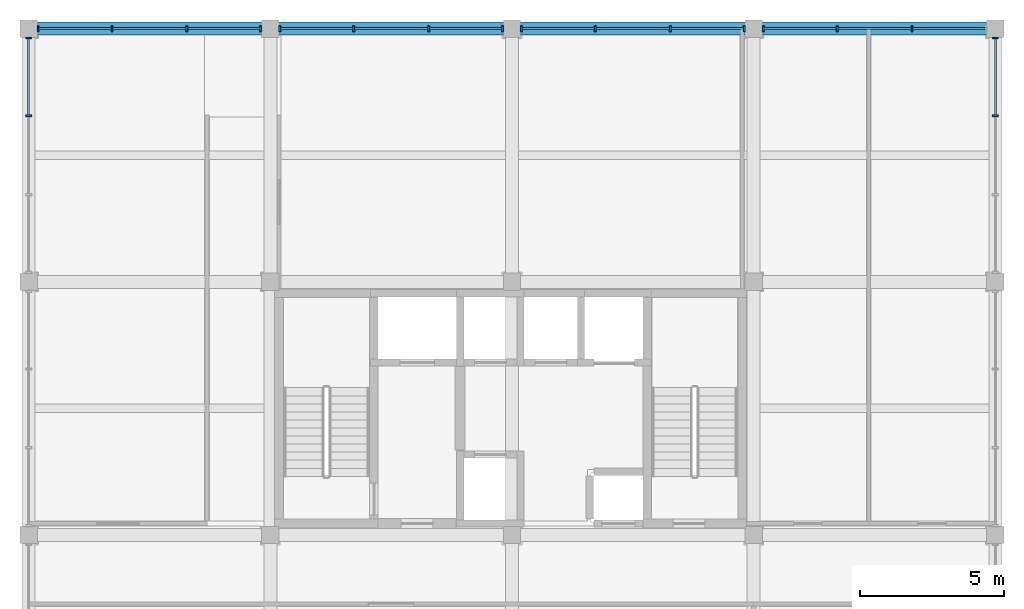
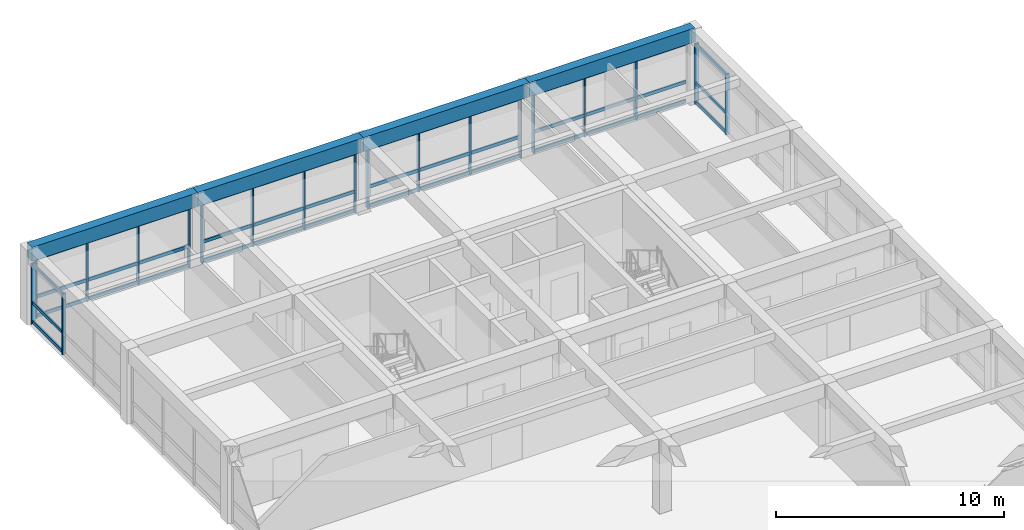
# One storey, part 6 of 14: 61 members, 4 beams, 6 elements without a shape of their own.
"""IFC4 building model written with IfcOpenShell, lengths in metres."""

from ifc_helpers import new_model, si_unit, direction, frame, origin, origin_2d, place, context, subcontext, project, spatial, rectangle, extrude, material, material_profile, profile_set, type_object, element, aggregate, save


model = new_model("IFC4")

# Units and contexts
model_context = context("Model", 3, precision=1e-05, world=origin(), true_north=direction((0.0, 1.0)))
body_context = subcontext(model_context, "Body", "Model", "MODEL_VIEW")
ifc_project = project(units=[si_unit("LENGTHUNIT", "METRE"), si_unit("AREAUNIT", "SQUARE_METRE"), si_unit("VOLUMEUNIT", "CUBIC_METRE"), si_unit("PLANEANGLEUNIT", "RADIAN"), si_unit("MASSUNIT", "GRAM", prefix="KILO")], contexts=[model_context])

# Site, building, storey
site_placement = place(None, origin())
site = spatial("IfcSite", under=ifc_project, at=site_placement, CompositionType="ELEMENT")
building_placement = place(site_placement, origin())
building = spatial("IfcBuilding", under=site, at=building_placement, Name="Kemercrest Conservatory and Botanical Centre", CompositionType="ELEMENT")
storey_placement = place(building_placement, frame((0.0, 0.0, 59.800048828125)))
storey = spatial("IfcBuildingStorey", under=building, at=storey_placement, Name="L15", CompositionType="ELEMENT", Elevation=59.800048828125)

# Curtain wall, members
ifc_material_1 = material(Name="Thermally broken aluminium and triple low-e glazing", Category="aluminium")
curtain_wall_type_1 = type_object("IfcCurtainWallType", Name="CW-03", PredefinedType="USERDEFINED", material=ifc_material_1)
curtain_wall_1_placement = place(storey_placement, origin())
curtain_wall_1 = element("IfcCurtainWall", 1, at=curtain_wall_1_placement, inside=storey, type_object=curtain_wall_type_1, Name="Unitised curtain wall CW-03 (CW:L15:V4-152)", ObjectType="UNITISED CURTAIN WALL", PredefinedType="USERDEFINED")
ifc_material_2 = material(Name="Thermally broken anodized aluminium 6063-T6", Category="aluminium")
ifc_material_profile_1 = material_profile(ifc_material_2, rectangle(XDim=0.199951171875, YDim=0.06494140625, at=origin_2d()), Name="AL MULLION 65x200")
ifc_profile_set_1 = profile_set([ifc_material_profile_1], Name="Thermally broken anodized aluminium 6063-T6")
member_type_1 = type_object("IfcMemberType", Name="CW-M200", PredefinedType="MULLION", material=ifc_profile_set_1)
member_1_placement = place(storey_placement, frame((176.0, 119.368408203125, 0.0), z_axis=(0.0, 0.0, 1.0), x_axis=(-1.0, 0.0, 0.0)))
member_1 = element("IfcMember", 2, at=member_1_placement, type_object=member_type_1, Name="CW-03 mullion 3", PredefinedType="MULLION", context=body_context, shape_type="SweptSolid", body=[
    extrude(rectangle(XDim=0.199951171875, YDim=0.06494140625, at=origin_2d()), origin(), (0.0, 0.0, 1.0), 3.2548828125),
])
member_2_placement = place(storey_placement, frame((176.0, 122.072509765625, 0.0), z_axis=(0.0, 0.0, 1.0), x_axis=(-1.0, 0.0, 0.0)))
member_2 = element("IfcMember", 3, at=member_2_placement, type_object=member_type_1, Name="CW-03 mullion 4", PredefinedType="MULLION", context=body_context, shape_type="SweptSolid", body=[
    extrude(rectangle(XDim=0.199951171875, YDim=0.06494140625, at=origin_2d()), origin(), (0.0, 0.0, 1.0), 3.2548828125),
])

curtain_wall_type_2 = type_object("IfcCurtainWallType", Name="CW-04", PredefinedType="USERDEFINED", material=ifc_material_1)
curtain_wall_2_placement = place(storey_placement, origin())
curtain_wall_2 = element("IfcCurtainWall", 4, at=curtain_wall_2_placement, inside=storey, type_object=curtain_wall_type_2, Name="Unitised curtain wall CW-04 (CW:L15:V4-153)", ObjectType="UNITISED CURTAIN WALL", PredefinedType="USERDEFINED")
member_3_placement = place(storey_placement, frame((173.1015625, 122.39990234375, 0.0), z_axis=(0.0, 0.0, 1.0), x_axis=(0.0, -1.0, 0.0)))
member_3 = element("IfcMember", 5, at=member_3_placement, type_object=member_type_1, Name="CW-04 mullion 2", PredefinedType="MULLION", context=body_context, shape_type="SweptSolid", body=[
    extrude(rectangle(XDim=0.199951171875, YDim=0.06494140625, at=origin_2d()), origin(), (0.0, 0.0, 1.0), 3.2548828125),
])
member_4_placement = place(storey_placement, frame((170.498291015625, 122.39990234375, 0.0), z_axis=(0.0, 0.0, 1.0), x_axis=(0.0, -1.0, 0.0)))
member_4 = element("IfcMember", 6, at=member_4_placement, type_object=member_type_1, Name="CW-04 mullion 3", PredefinedType="MULLION", context=body_context, shape_type="SweptSolid", body=[
    extrude(rectangle(XDim=0.199951171875, YDim=0.06494140625, at=origin_2d()), origin(), (0.0, 0.0, 1.0), 3.2548828125),
])
member_5_placement = place(storey_placement, frame((167.927490234375, 122.39990234375, 0.0), z_axis=(0.0, 0.0, 1.0), x_axis=(0.0, -1.0, 0.0)))
member_5 = element("IfcMember", 7, at=member_5_placement, type_object=member_type_1, Name="CW-04 mullion 4", PredefinedType="MULLION", context=body_context, shape_type="SweptSolid", body=[
    extrude(rectangle(XDim=0.199951171875, YDim=0.06494140625, at=origin_2d()), origin(), (0.0, 0.0, 1.0), 3.2548828125),
])

curtain_wall_type_3 = type_object("IfcCurtainWallType", Name="CW-05", PredefinedType="USERDEFINED", material=ifc_material_1)
curtain_wall_3_placement = place(storey_placement, origin())
curtain_wall_3 = element("IfcCurtainWall", 8, at=curtain_wall_3_placement, inside=storey, type_object=curtain_wall_type_3, Name="Unitised curtain wall CW-05 (CW:L15:V4-154)", ObjectType="UNITISED CURTAIN WALL", PredefinedType="USERDEFINED")
member_6_placement = place(storey_placement, frame((167.2724609375, 122.39990234375, 0.0), z_axis=(0.0, 0.0, 1.0), x_axis=(0.0, -1.0, 0.0)))
member_6 = element("IfcMember", 9, at=member_6_placement, type_object=member_type_1, Name="CW-05 mullion 1", PredefinedType="MULLION", context=body_context, shape_type="SweptSolid", body=[
    extrude(rectangle(XDim=0.199951171875, YDim=0.06494140625, at=origin_2d()), origin(), (0.0, 0.0, 1.0), 3.2548828125),
])
member_7_placement = place(storey_placement, frame((164.70166015625, 122.39990234375, 0.0), z_axis=(0.0, 0.0, 1.0), x_axis=(0.0, -1.0, 0.0)))
member_7 = element("IfcMember", 10, at=member_7_placement, type_object=member_type_1, Name="CW-05 mullion 2", PredefinedType="MULLION", context=body_context, shape_type="SweptSolid", body=[
    extrude(rectangle(XDim=0.199951171875, YDim=0.06494140625, at=origin_2d()), origin(), (0.0, 0.0, 1.0), 3.2548828125),
])
member_8_placement = place(storey_placement, frame((162.098388671875, 122.39990234375, 0.0), z_axis=(0.0, 0.0, 1.0), x_axis=(0.0, -1.0, 0.0)))
member_8 = element("IfcMember", 11, at=member_8_placement, type_object=member_type_1, Name="CW-05 mullion 3", PredefinedType="MULLION", context=body_context, shape_type="SweptSolid", body=[
    extrude(rectangle(XDim=0.199951171875, YDim=0.06494140625, at=origin_2d()), origin(), (0.0, 0.0, 1.0), 3.2548828125),
])
member_9_placement = place(storey_placement, frame((159.527587890625, 122.39990234375, 0.0), z_axis=(0.0, 0.0, 1.0), x_axis=(0.0, -1.0, 0.0)))
member_9 = element("IfcMember", 12, at=member_9_placement, type_object=member_type_1, Name="CW-05 mullion 4", PredefinedType="MULLION", context=body_context, shape_type="SweptSolid", body=[
    extrude(rectangle(XDim=0.199951171875, YDim=0.06494140625, at=origin_2d()), origin(), (0.0, 0.0, 1.0), 3.2548828125),
])

curtain_wall_type_4 = type_object("IfcCurtainWallType", Name="CW-06", PredefinedType="USERDEFINED", material=ifc_material_1)
curtain_wall_4_placement = place(storey_placement, origin())
curtain_wall_4 = element("IfcCurtainWall", 13, at=curtain_wall_4_placement, inside=storey, type_object=curtain_wall_type_4, Name="Unitised curtain wall CW-06 (CW:L15:V4-155)", ObjectType="UNITISED CURTAIN WALL", PredefinedType="USERDEFINED")
member_10_placement = place(storey_placement, frame((158.87255859375, 122.39990234375, 0.0), z_axis=(0.0, 0.0, 1.0), x_axis=(0.0, -1.0, 0.0)))
member_10 = element("IfcMember", 14, at=member_10_placement, type_object=member_type_1, Name="CW-06 mullion 1", PredefinedType="MULLION", context=body_context, shape_type="SweptSolid", body=[
    extrude(rectangle(XDim=0.199951171875, YDim=0.06494140625, at=origin_2d()), origin(), (0.0, 0.0, 1.0), 3.2548828125),
])
member_11_placement = place(storey_placement, frame((156.3017578125, 122.39990234375, 0.0), z_axis=(0.0, 0.0, 1.0), x_axis=(0.0, -1.0, 0.0)))
member_11 = element("IfcMember", 15, at=member_11_placement, type_object=member_type_1, Name="CW-06 mullion 2", PredefinedType="MULLION", context=body_context, shape_type="SweptSolid", body=[
    extrude(rectangle(XDim=0.199951171875, YDim=0.06494140625, at=origin_2d()), origin(), (0.0, 0.0, 1.0), 3.2548828125),
])
member_12_placement = place(storey_placement, frame((153.6982421875, 122.39990234375, 0.0), z_axis=(0.0, 0.0, 1.0), x_axis=(0.0, -1.0, 0.0)))
member_12 = element("IfcMember", 16, at=member_12_placement, type_object=member_type_1, Name="CW-06 mullion 3", PredefinedType="MULLION", context=body_context, shape_type="SweptSolid", body=[
    extrude(rectangle(XDim=0.199951171875, YDim=0.06494140625, at=origin_2d()), origin(), (0.0, 0.0, 1.0), 3.2548828125),
])
member_13_placement = place(storey_placement, frame((151.12744140625, 122.39990234375, 0.0), z_axis=(0.0, 0.0, 1.0), x_axis=(0.0, -1.0, 0.0)))
member_13 = element("IfcMember", 17, at=member_13_placement, type_object=member_type_1, Name="CW-06 mullion 4", PredefinedType="MULLION", context=body_context, shape_type="SweptSolid", body=[
    extrude(rectangle(XDim=0.199951171875, YDim=0.06494140625, at=origin_2d()), origin(), (0.0, 0.0, 1.0), 3.2548828125),
])

curtain_wall_type_5 = type_object("IfcCurtainWallType", Name="CW-07", PredefinedType="USERDEFINED", material=ifc_material_1)
curtain_wall_5_placement = place(storey_placement, origin())
curtain_wall_5 = element("IfcCurtainWall", 18, at=curtain_wall_5_placement, inside=storey, type_object=curtain_wall_type_5, Name="Unitised curtain wall CW-07 (CW:L15:V4-156)", ObjectType="UNITISED CURTAIN WALL", PredefinedType="USERDEFINED")
member_14_placement = place(storey_placement, frame((150.472412109375, 122.39990234375, 0.0), z_axis=(0.0, 0.0, 1.0), x_axis=(0.0, -1.0, 0.0)))
member_14 = element("IfcMember", 19, at=member_14_placement, type_object=member_type_1, Name="CW-07 mullion 1", PredefinedType="MULLION", context=body_context, shape_type="SweptSolid", body=[
    extrude(rectangle(XDim=0.199951171875, YDim=0.06494140625, at=origin_2d()), origin(), (0.0, 0.0, 1.0), 3.2548828125),
])
member_15_placement = place(storey_placement, frame((147.901611328125, 122.39990234375, 0.0), z_axis=(0.0, 0.0, 1.0), x_axis=(0.0, -1.0, 0.0)))
member_15 = element("IfcMember", 20, at=member_15_placement, type_object=member_type_1, Name="CW-07 mullion 2", PredefinedType="MULLION", context=body_context, shape_type="SweptSolid", body=[
    extrude(rectangle(XDim=0.199951171875, YDim=0.06494140625, at=origin_2d()), origin(), (0.0, 0.0, 1.0), 3.2548828125),
])
member_16_placement = place(storey_placement, frame((145.29833984375, 122.39990234375, 0.0), z_axis=(0.0, 0.0, 1.0), x_axis=(0.0, -1.0, 0.0)))
member_16 = element("IfcMember", 21, at=member_16_placement, type_object=member_type_1, Name="CW-07 mullion 3", PredefinedType="MULLION", context=body_context, shape_type="SweptSolid", body=[
    extrude(rectangle(XDim=0.199951171875, YDim=0.06494140625, at=origin_2d()), origin(), (0.0, 0.0, 1.0), 3.2548828125),
])
member_17_placement = place(storey_placement, frame((142.7275390625, 122.39990234375, 0.0), z_axis=(0.0, 0.0, 1.0), x_axis=(0.0, -1.0, 0.0)))
member_17 = element("IfcMember", 22, at=member_17_placement, type_object=member_type_1, Name="CW-07 mullion 4", PredefinedType="MULLION", context=body_context, shape_type="SweptSolid", body=[
    extrude(rectangle(XDim=0.199951171875, YDim=0.06494140625, at=origin_2d()), origin(), (0.0, 0.0, 1.0), 3.2548828125),
])

curtain_wall_type_6 = type_object("IfcCurtainWallType", Name="CW-08", PredefinedType="USERDEFINED", material=ifc_material_1)
curtain_wall_6_placement = place(storey_placement, origin())
curtain_wall_6 = element("IfcCurtainWall", 23, at=curtain_wall_6_placement, inside=storey, type_object=curtain_wall_type_6, Name="Unitised curtain wall CW-08 (CW:L15:V4-157)", ObjectType="UNITISED CURTAIN WALL", PredefinedType="USERDEFINED")
member_18_placement = place(storey_placement, frame((142.39990234375, 122.072509765625, 0.0), z_axis=(0.0, 0.0, 1.0), x_axis=(1.0, 0.0, 0.0)))
member_18 = element("IfcMember", 24, at=member_18_placement, type_object=member_type_1, Name="CW-08 mullion 1", PredefinedType="MULLION", context=body_context, shape_type="SweptSolid", body=[
    extrude(rectangle(XDim=0.199951171875, YDim=0.06494140625, at=origin_2d()), origin(), (0.0, 0.0, 1.0), 3.2548828125),
])
member_19_placement = place(storey_placement, frame((142.39990234375, 119.368408203125, 0.0), z_axis=(0.0, 0.0, 1.0), x_axis=(1.0, 0.0, 0.0)))
member_19 = element("IfcMember", 25, at=member_19_placement, type_object=member_type_1, Name="CW-08 mullion 2", PredefinedType="MULLION", context=body_context, shape_type="SweptSolid", body=[
    extrude(rectangle(XDim=0.199951171875, YDim=0.06494140625, at=origin_2d()), origin(), (0.0, 0.0, 1.0), 3.2548828125),
])

# Member
ifc_material_profile_2 = material_profile(ifc_material_2, rectangle(XDim=0.074951171875, YDim=0.179931640625, at=origin_2d()), Name="AL TRANSOM 75x180")
ifc_profile_set_2 = profile_set([ifc_material_profile_2], Name="Thermally broken anodized aluminium 6063-T6")
member_type_2 = type_object("IfcMemberType", Name="CW-T180", PredefinedType="USERDEFINED", material=ifc_profile_set_2)
member_20_placement = place(storey_placement, frame((176.0, 119.40087890625, 0.08984375), z_axis=(0.0, 1.0, 0.0), x_axis=(-1.0, 0.0, 0.0)))
member_20 = element("IfcMember", 26, at=member_20_placement, type_object=member_type_2, Name="CW-03 transom 3.1", ObjectType="TRANSOM", PredefinedType="USERDEFINED", context=body_context, shape_type="SweptSolid", body=[
    extrude(rectangle(XDim=0.074951171875, YDim=0.179931640625, at=origin_2d()), origin(), (0.0, 0.0, 1.0), 2.63916015625),
])

member_21_placement = place(storey_placement, frame((176.0, 119.40087890625, 1.119873046875), z_axis=(0.0, 1.0, 0.0), x_axis=(-1.0, 0.0, 0.0)))
member_21 = element("IfcMember", 27, at=member_21_placement, type_object=member_type_2, Name="CW-03 transom 3.2", ObjectType="TRANSOM", PredefinedType="USERDEFINED", context=body_context, shape_type="SweptSolid", body=[
    extrude(rectangle(XDim=0.074951171875, YDim=0.179931640625, at=origin_2d()), origin(), (0.0, 0.0, 1.0), 2.63916015625),
])

member_22_placement = place(storey_placement, frame((176.0, 119.40087890625, 3.1650390625), z_axis=(0.0, 1.0, 0.0), x_axis=(-1.0, 0.0, 0.0)))
member_22 = element("IfcMember", 28, at=member_22_placement, type_object=member_type_2, Name="CW-03 transom 3.3", ObjectType="TRANSOM", PredefinedType="USERDEFINED", context=body_context, shape_type="SweptSolid", body=[
    extrude(rectangle(XDim=0.074951171875, YDim=0.179931640625, at=origin_2d()), origin(), (0.0, 0.0, 1.0), 2.63916015625),
])

aggregate(curtain_wall_1, [member_1, member_2, member_20, member_21, member_22])

member_23_placement = place(storey_placement, frame((175.639892578125, 122.39990234375, 0.08984375), z_axis=(-1.0, 0.0, 0.0), x_axis=(0.0, -1.0, 0.0)))
member_23 = element("IfcMember", 29, at=member_23_placement, type_object=member_type_2, Name="CW-04 transom 1.1", ObjectType="TRANSOM", PredefinedType="USERDEFINED", context=body_context, shape_type="SweptSolid", body=[
    extrude(rectangle(XDim=0.074951171875, YDim=0.179931640625, at=origin_2d()), origin(), (0.0, 0.0, 1.0), 2.505615234375),
])

member_24_placement = place(storey_placement, frame((175.639892578125, 122.39990234375, 1.119873046875), z_axis=(-1.0, 0.0, 0.0), x_axis=(0.0, -1.0, 0.0)))
member_24 = element("IfcMember", 30, at=member_24_placement, type_object=member_type_2, Name="CW-04 transom 1.2", ObjectType="TRANSOM", PredefinedType="USERDEFINED", context=body_context, shape_type="SweptSolid", body=[
    extrude(rectangle(XDim=0.074951171875, YDim=0.179931640625, at=origin_2d()), origin(), (0.0, 0.0, 1.0), 2.505615234375),
])

member_25_placement = place(storey_placement, frame((175.639892578125, 122.39990234375, 3.1650390625), z_axis=(-1.0, 0.0, 0.0), x_axis=(0.0, -1.0, 0.0)))
member_25 = element("IfcMember", 31, at=member_25_placement, type_object=member_type_2, Name="CW-04 transom 1.3", ObjectType="TRANSOM", PredefinedType="USERDEFINED", context=body_context, shape_type="SweptSolid", body=[
    extrude(rectangle(XDim=0.074951171875, YDim=0.179931640625, at=origin_2d()), origin(), (0.0, 0.0, 1.0), 2.505615234375),
])

member_26_placement = place(storey_placement, frame((173.069091796875, 122.39990234375, 0.08984375), z_axis=(-1.0, 0.0, 0.0), x_axis=(0.0, -1.0, 0.0)))
member_26 = element("IfcMember", 32, at=member_26_placement, type_object=member_type_2, Name="CW-04 transom 2.1", ObjectType="TRANSOM", PredefinedType="USERDEFINED", context=body_context, shape_type="SweptSolid", body=[
    extrude(rectangle(XDim=0.074951171875, YDim=0.179931640625, at=origin_2d()), origin(), (0.0, 0.0, 1.0), 2.538330078125),
])

member_27_placement = place(storey_placement, frame((173.069091796875, 122.39990234375, 1.119873046875), z_axis=(-1.0, 0.0, 0.0), x_axis=(0.0, -1.0, 0.0)))
member_27 = element("IfcMember", 33, at=member_27_placement, type_object=member_type_2, Name="CW-04 transom 2.2", ObjectType="TRANSOM", PredefinedType="USERDEFINED", context=body_context, shape_type="SweptSolid", body=[
    extrude(rectangle(XDim=0.074951171875, YDim=0.179931640625, at=origin_2d()), origin(), (0.0, 0.0, 1.0), 2.538330078125),
])

member_28_placement = place(storey_placement, frame((173.069091796875, 122.39990234375, 3.1650390625), z_axis=(-1.0, 0.0, 0.0), x_axis=(0.0, -1.0, 0.0)))
member_28 = element("IfcMember", 34, at=member_28_placement, type_object=member_type_2, Name="CW-04 transom 2.3", ObjectType="TRANSOM", PredefinedType="USERDEFINED", context=body_context, shape_type="SweptSolid", body=[
    extrude(rectangle(XDim=0.074951171875, YDim=0.179931640625, at=origin_2d()), origin(), (0.0, 0.0, 1.0), 2.538330078125),
])

member_29_placement = place(storey_placement, frame((170.4658203125, 122.39990234375, 0.08984375), z_axis=(-1.0, 0.0, 0.0), x_axis=(0.0, -1.0, 0.0)))
member_29 = element("IfcMember", 35, at=member_29_placement, type_object=member_type_2, Name="CW-04 transom 3.1", ObjectType="TRANSOM", PredefinedType="USERDEFINED", context=body_context, shape_type="SweptSolid", body=[
    extrude(rectangle(XDim=0.074951171875, YDim=0.179931640625, at=origin_2d()), origin(), (0.0, 0.0, 1.0), 2.505859375),
])

member_30_placement = place(storey_placement, frame((170.4658203125, 122.39990234375, 1.119873046875), z_axis=(-1.0, 0.0, 0.0), x_axis=(0.0, -1.0, 0.0)))
member_30 = element("IfcMember", 36, at=member_30_placement, type_object=member_type_2, Name="CW-04 transom 3.2", ObjectType="TRANSOM", PredefinedType="USERDEFINED", context=body_context, shape_type="SweptSolid", body=[
    extrude(rectangle(XDim=0.074951171875, YDim=0.179931640625, at=origin_2d()), origin(), (0.0, 0.0, 1.0), 2.505859375),
])

member_31_placement = place(storey_placement, frame((170.4658203125, 122.39990234375, 3.1650390625), z_axis=(-1.0, 0.0, 0.0), x_axis=(0.0, -1.0, 0.0)))
member_31 = element("IfcMember", 37, at=member_31_placement, type_object=member_type_2, Name="CW-04 transom 3.3", ObjectType="TRANSOM", PredefinedType="USERDEFINED", context=body_context, shape_type="SweptSolid", body=[
    extrude(rectangle(XDim=0.074951171875, YDim=0.179931640625, at=origin_2d()), origin(), (0.0, 0.0, 1.0), 2.505859375),
])

aggregate(curtain_wall_2, [member_3, member_4, member_5, member_23, member_24, member_25, member_26, member_27, member_28, member_29, member_30, member_31])

member_32_placement = place(storey_placement, frame((167.239990234375, 122.39990234375, 0.08984375), z_axis=(-1.0, 0.0, 0.0), x_axis=(0.0, -1.0, 0.0)))
member_32 = element("IfcMember", 38, at=member_32_placement, type_object=member_type_2, Name="CW-05 transom 1.1", ObjectType="TRANSOM", PredefinedType="USERDEFINED", context=body_context, shape_type="SweptSolid", body=[
    extrude(rectangle(XDim=0.074951171875, YDim=0.179931640625, at=origin_2d()), origin(), (0.0, 0.0, 1.0), 2.505859375),
])

member_33_placement = place(storey_placement, frame((167.239990234375, 122.39990234375, 1.119873046875), z_axis=(-1.0, 0.0, 0.0), x_axis=(0.0, -1.0, 0.0)))
member_33 = element("IfcMember", 39, at=member_33_placement, type_object=member_type_2, Name="CW-05 transom 1.2", ObjectType="TRANSOM", PredefinedType="USERDEFINED", context=body_context, shape_type="SweptSolid", body=[
    extrude(rectangle(XDim=0.074951171875, YDim=0.179931640625, at=origin_2d()), origin(), (0.0, 0.0, 1.0), 2.505859375),
])

member_34_placement = place(storey_placement, frame((167.239990234375, 122.39990234375, 3.1650390625), z_axis=(-1.0, 0.0, 0.0), x_axis=(0.0, -1.0, 0.0)))
member_34 = element("IfcMember", 40, at=member_34_placement, type_object=member_type_2, Name="CW-05 transom 1.3", ObjectType="TRANSOM", PredefinedType="USERDEFINED", context=body_context, shape_type="SweptSolid", body=[
    extrude(rectangle(XDim=0.074951171875, YDim=0.179931640625, at=origin_2d()), origin(), (0.0, 0.0, 1.0), 2.505859375),
])

member_35_placement = place(storey_placement, frame((164.669189453125, 122.39990234375, 0.08984375), z_axis=(-1.0, 0.0, 0.0), x_axis=(0.0, -1.0, 0.0)))
member_35 = element("IfcMember", 41, at=member_35_placement, type_object=member_type_2, Name="CW-05 transom 2.1", ObjectType="TRANSOM", PredefinedType="USERDEFINED", context=body_context, shape_type="SweptSolid", body=[
    extrude(rectangle(XDim=0.074951171875, YDim=0.179931640625, at=origin_2d()), origin(), (0.0, 0.0, 1.0), 2.538330078125),
])

member_36_placement = place(storey_placement, frame((164.669189453125, 122.39990234375, 1.119873046875), z_axis=(-1.0, 0.0, 0.0), x_axis=(0.0, -1.0, 0.0)))
member_36 = element("IfcMember", 42, at=member_36_placement, type_object=member_type_2, Name="CW-05 transom 2.2", ObjectType="TRANSOM", PredefinedType="USERDEFINED", context=body_context, shape_type="SweptSolid", body=[
    extrude(rectangle(XDim=0.074951171875, YDim=0.179931640625, at=origin_2d()), origin(), (0.0, 0.0, 1.0), 2.538330078125),
])

member_37_placement = place(storey_placement, frame((164.669189453125, 122.39990234375, 3.1650390625), z_axis=(-1.0, 0.0, 0.0), x_axis=(0.0, -1.0, 0.0)))
member_37 = element("IfcMember", 43, at=member_37_placement, type_object=member_type_2, Name="CW-05 transom 2.3", ObjectType="TRANSOM", PredefinedType="USERDEFINED", context=body_context, shape_type="SweptSolid", body=[
    extrude(rectangle(XDim=0.074951171875, YDim=0.179931640625, at=origin_2d()), origin(), (0.0, 0.0, 1.0), 2.538330078125),
])

member_38_placement = place(storey_placement, frame((162.06591796875, 122.39990234375, 0.08984375), z_axis=(-1.0, 0.0, 0.0), x_axis=(0.0, -1.0, 0.0)))
member_38 = element("IfcMember", 44, at=member_38_placement, type_object=member_type_2, Name="CW-05 transom 3.1", ObjectType="TRANSOM", PredefinedType="USERDEFINED", context=body_context, shape_type="SweptSolid", body=[
    extrude(rectangle(XDim=0.074951171875, YDim=0.179931640625, at=origin_2d()), origin(), (0.0, 0.0, 1.0), 2.505859375),
])

member_39_placement = place(storey_placement, frame((162.06591796875, 122.39990234375, 1.119873046875), z_axis=(-1.0, 0.0, 0.0), x_axis=(0.0, -1.0, 0.0)))
member_39 = element("IfcMember", 45, at=member_39_placement, type_object=member_type_2, Name="CW-05 transom 3.2", ObjectType="TRANSOM", PredefinedType="USERDEFINED", context=body_context, shape_type="SweptSolid", body=[
    extrude(rectangle(XDim=0.074951171875, YDim=0.179931640625, at=origin_2d()), origin(), (0.0, 0.0, 1.0), 2.505859375),
])

member_40_placement = place(storey_placement, frame((162.06591796875, 122.39990234375, 3.1650390625), z_axis=(-1.0, 0.0, 0.0), x_axis=(0.0, -1.0, 0.0)))
member_40 = element("IfcMember", 46, at=member_40_placement, type_object=member_type_2, Name="CW-05 transom 3.3", ObjectType="TRANSOM", PredefinedType="USERDEFINED", context=body_context, shape_type="SweptSolid", body=[
    extrude(rectangle(XDim=0.074951171875, YDim=0.179931640625, at=origin_2d()), origin(), (0.0, 0.0, 1.0), 2.505859375),
])

aggregate(curtain_wall_3, [member_6, member_7, member_8, member_9, member_32, member_33, member_34, member_35, member_36, member_37, member_38, member_39, member_40])

member_41_placement = place(storey_placement, frame((158.840087890625, 122.39990234375, 0.08984375), z_axis=(-1.0, 0.0, 0.0), x_axis=(0.0, -1.0, 0.0)))
member_41 = element("IfcMember", 47, at=member_41_placement, type_object=member_type_2, Name="CW-06 transom 1.1", ObjectType="TRANSOM", PredefinedType="USERDEFINED", context=body_context, shape_type="SweptSolid", body=[
    extrude(rectangle(XDim=0.074951171875, YDim=0.179931640625, at=origin_2d()), origin(), (0.0, 0.0, 1.0), 2.505859375),
])

member_42_placement = place(storey_placement, frame((158.840087890625, 122.39990234375, 1.119873046875), z_axis=(-1.0, 0.0, 0.0), x_axis=(0.0, -1.0, 0.0)))
member_42 = element("IfcMember", 48, at=member_42_placement, type_object=member_type_2, Name="CW-06 transom 1.2", ObjectType="TRANSOM", PredefinedType="USERDEFINED", context=body_context, shape_type="SweptSolid", body=[
    extrude(rectangle(XDim=0.074951171875, YDim=0.179931640625, at=origin_2d()), origin(), (0.0, 0.0, 1.0), 2.505859375),
])

member_43_placement = place(storey_placement, frame((158.840087890625, 122.39990234375, 3.1650390625), z_axis=(-1.0, 0.0, 0.0), x_axis=(0.0, -1.0, 0.0)))
member_43 = element("IfcMember", 49, at=member_43_placement, type_object=member_type_2, Name="CW-06 transom 1.3", ObjectType="TRANSOM", PredefinedType="USERDEFINED", context=body_context, shape_type="SweptSolid", body=[
    extrude(rectangle(XDim=0.074951171875, YDim=0.179931640625, at=origin_2d()), origin(), (0.0, 0.0, 1.0), 2.505859375),
])

member_44_placement = place(storey_placement, frame((156.269287109375, 122.39990234375, 0.08984375), z_axis=(-1.0, 0.0, 0.0), x_axis=(0.0, -1.0, 0.0)))
member_44 = element("IfcMember", 50, at=member_44_placement, type_object=member_type_2, Name="CW-06 transom 2.1", ObjectType="TRANSOM", PredefinedType="USERDEFINED", context=body_context, shape_type="SweptSolid", body=[
    extrude(rectangle(XDim=0.074951171875, YDim=0.179931640625, at=origin_2d()), origin(), (0.0, 0.0, 1.0), 2.53857421875),
])

member_45_placement = place(storey_placement, frame((156.269287109375, 122.39990234375, 1.119873046875), z_axis=(-1.0, 0.0, 0.0), x_axis=(0.0, -1.0, 0.0)))
member_45 = element("IfcMember", 51, at=member_45_placement, type_object=member_type_2, Name="CW-06 transom 2.2", ObjectType="TRANSOM", PredefinedType="USERDEFINED", context=body_context, shape_type="SweptSolid", body=[
    extrude(rectangle(XDim=0.074951171875, YDim=0.179931640625, at=origin_2d()), origin(), (0.0, 0.0, 1.0), 2.53857421875),
])

member_46_placement = place(storey_placement, frame((156.269287109375, 122.39990234375, 3.1650390625), z_axis=(-1.0, 0.0, 0.0), x_axis=(0.0, -1.0, 0.0)))
member_46 = element("IfcMember", 52, at=member_46_placement, type_object=member_type_2, Name="CW-06 transom 2.3", ObjectType="TRANSOM", PredefinedType="USERDEFINED", context=body_context, shape_type="SweptSolid", body=[
    extrude(rectangle(XDim=0.074951171875, YDim=0.179931640625, at=origin_2d()), origin(), (0.0, 0.0, 1.0), 2.53857421875),
])

member_47_placement = place(storey_placement, frame((153.665771484375, 122.39990234375, 0.08984375), z_axis=(-1.0, 0.0, 0.0), x_axis=(0.0, -1.0, 0.0)))
member_47 = element("IfcMember", 53, at=member_47_placement, type_object=member_type_2, Name="CW-06 transom 3.1", ObjectType="TRANSOM", PredefinedType="USERDEFINED", context=body_context, shape_type="SweptSolid", body=[
    extrude(rectangle(XDim=0.074951171875, YDim=0.179931640625, at=origin_2d()), origin(), (0.0, 0.0, 1.0), 2.505859375),
])

member_48_placement = place(storey_placement, frame((153.665771484375, 122.39990234375, 1.119873046875), z_axis=(-1.0, 0.0, 0.0), x_axis=(0.0, -1.0, 0.0)))
member_48 = element("IfcMember", 54, at=member_48_placement, type_object=member_type_2, Name="CW-06 transom 3.2", ObjectType="TRANSOM", PredefinedType="USERDEFINED", context=body_context, shape_type="SweptSolid", body=[
    extrude(rectangle(XDim=0.074951171875, YDim=0.179931640625, at=origin_2d()), origin(), (0.0, 0.0, 1.0), 2.505859375),
])

member_49_placement = place(storey_placement, frame((153.665771484375, 122.39990234375, 3.1650390625), z_axis=(-1.0, 0.0, 0.0), x_axis=(0.0, -1.0, 0.0)))
member_49 = element("IfcMember", 55, at=member_49_placement, type_object=member_type_2, Name="CW-06 transom 3.3", ObjectType="TRANSOM", PredefinedType="USERDEFINED", context=body_context, shape_type="SweptSolid", body=[
    extrude(rectangle(XDim=0.074951171875, YDim=0.179931640625, at=origin_2d()), origin(), (0.0, 0.0, 1.0), 2.505859375),
])

aggregate(curtain_wall_4, [member_10, member_11, member_12, member_13, member_41, member_42, member_43, member_44, member_45, member_46, member_47, member_48, member_49])

member_50_placement = place(storey_placement, frame((150.43994140625, 122.39990234375, 0.08984375), z_axis=(-1.0, 0.0, 0.0), x_axis=(0.0, -1.0, 0.0)))
member_50 = element("IfcMember", 56, at=member_50_placement, type_object=member_type_2, Name="CW-07 transom 1.1", ObjectType="TRANSOM", PredefinedType="USERDEFINED", context=body_context, shape_type="SweptSolid", body=[
    extrude(rectangle(XDim=0.074951171875, YDim=0.179931640625, at=origin_2d()), origin(), (0.0, 0.0, 1.0), 2.505859375),
])

member_51_placement = place(storey_placement, frame((150.43994140625, 122.39990234375, 1.119873046875), z_axis=(-1.0, 0.0, 0.0), x_axis=(0.0, -1.0, 0.0)))
member_51 = element("IfcMember", 57, at=member_51_placement, type_object=member_type_2, Name="CW-07 transom 1.2", ObjectType="TRANSOM", PredefinedType="USERDEFINED", context=body_context, shape_type="SweptSolid", body=[
    extrude(rectangle(XDim=0.074951171875, YDim=0.179931640625, at=origin_2d()), origin(), (0.0, 0.0, 1.0), 2.505859375),
])

member_52_placement = place(storey_placement, frame((150.43994140625, 122.39990234375, 3.1650390625), z_axis=(-1.0, 0.0, 0.0), x_axis=(0.0, -1.0, 0.0)))
member_52 = element("IfcMember", 58, at=member_52_placement, type_object=member_type_2, Name="CW-07 transom 1.3", ObjectType="TRANSOM", PredefinedType="USERDEFINED", context=body_context, shape_type="SweptSolid", body=[
    extrude(rectangle(XDim=0.074951171875, YDim=0.179931640625, at=origin_2d()), origin(), (0.0, 0.0, 1.0), 2.505859375),
])

member_53_placement = place(storey_placement, frame((147.869140625, 122.39990234375, 0.08984375), z_axis=(-1.0, 0.0, 0.0), x_axis=(0.0, -1.0, 0.0)))
member_53 = element("IfcMember", 59, at=member_53_placement, type_object=member_type_2, Name="CW-07 transom 2.1", ObjectType="TRANSOM", PredefinedType="USERDEFINED", context=body_context, shape_type="SweptSolid", body=[
    extrude(rectangle(XDim=0.074951171875, YDim=0.179931640625, at=origin_2d()), origin(), (0.0, 0.0, 1.0), 2.538330078125),
])

member_54_placement = place(storey_placement, frame((147.869140625, 122.39990234375, 1.119873046875), z_axis=(-1.0, 0.0, 0.0), x_axis=(0.0, -1.0, 0.0)))
member_54 = element("IfcMember", 60, at=member_54_placement, type_object=member_type_2, Name="CW-07 transom 2.2", ObjectType="TRANSOM", PredefinedType="USERDEFINED", context=body_context, shape_type="SweptSolid", body=[
    extrude(rectangle(XDim=0.074951171875, YDim=0.179931640625, at=origin_2d()), origin(), (0.0, 0.0, 1.0), 2.538330078125),
])

member_55_placement = place(storey_placement, frame((147.869140625, 122.39990234375, 3.1650390625), z_axis=(-1.0, 0.0, 0.0), x_axis=(0.0, -1.0, 0.0)))
member_55 = element("IfcMember", 61, at=member_55_placement, type_object=member_type_2, Name="CW-07 transom 2.3", ObjectType="TRANSOM", PredefinedType="USERDEFINED", context=body_context, shape_type="SweptSolid", body=[
    extrude(rectangle(XDim=0.074951171875, YDim=0.179931640625, at=origin_2d()), origin(), (0.0, 0.0, 1.0), 2.538330078125),
])

member_56_placement = place(storey_placement, frame((145.265869140625, 122.39990234375, 0.08984375), z_axis=(-1.0, 0.0, 0.0), x_axis=(0.0, -1.0, 0.0)))
member_56 = element("IfcMember", 62, at=member_56_placement, type_object=member_type_2, Name="CW-07 transom 3.1", ObjectType="TRANSOM", PredefinedType="USERDEFINED", context=body_context, shape_type="SweptSolid", body=[
    extrude(rectangle(XDim=0.074951171875, YDim=0.179931640625, at=origin_2d()), origin(), (0.0, 0.0, 1.0), 2.505859375),
])

member_57_placement = place(storey_placement, frame((145.265869140625, 122.39990234375, 1.119873046875), z_axis=(-1.0, 0.0, 0.0), x_axis=(0.0, -1.0, 0.0)))
member_57 = element("IfcMember", 63, at=member_57_placement, type_object=member_type_2, Name="CW-07 transom 3.2", ObjectType="TRANSOM", PredefinedType="USERDEFINED", context=body_context, shape_type="SweptSolid", body=[
    extrude(rectangle(XDim=0.074951171875, YDim=0.179931640625, at=origin_2d()), origin(), (0.0, 0.0, 1.0), 2.505859375),
])

member_58_placement = place(storey_placement, frame((145.265869140625, 122.39990234375, 3.1650390625), z_axis=(-1.0, 0.0, 0.0), x_axis=(0.0, -1.0, 0.0)))
member_58 = element("IfcMember", 64, at=member_58_placement, type_object=member_type_2, Name="CW-07 transom 3.3", ObjectType="TRANSOM", PredefinedType="USERDEFINED", context=body_context, shape_type="SweptSolid", body=[
    extrude(rectangle(XDim=0.074951171875, YDim=0.179931640625, at=origin_2d()), origin(), (0.0, 0.0, 1.0), 2.505859375),
])

aggregate(curtain_wall_5, [member_14, member_15, member_16, member_17, member_50, member_51, member_52, member_53, member_54, member_55, member_56, member_57, member_58])

member_59_placement = place(storey_placement, frame((142.39990234375, 122.0400390625, 0.08984375), z_axis=(0.0, -1.0, 0.0), x_axis=(1.0, 0.0, 0.0)))
member_59 = element("IfcMember", 65, at=member_59_placement, type_object=member_type_2, Name="CW-08 transom 1.1", ObjectType="TRANSOM", PredefinedType="USERDEFINED", context=body_context, shape_type="SweptSolid", body=[
    extrude(rectangle(XDim=0.074951171875, YDim=0.179931640625, at=origin_2d()), origin(), (0.0, 0.0, 1.0), 2.63916015625),
])

member_60_placement = place(storey_placement, frame((142.39990234375, 122.0400390625, 1.119873046875), z_axis=(0.0, -1.0, 0.0), x_axis=(1.0, 0.0, 0.0)))
member_60 = element("IfcMember", 66, at=member_60_placement, type_object=member_type_2, Name="CW-08 transom 1.2", ObjectType="TRANSOM", PredefinedType="USERDEFINED", context=body_context, shape_type="SweptSolid", body=[
    extrude(rectangle(XDim=0.074951171875, YDim=0.179931640625, at=origin_2d()), origin(), (0.0, 0.0, 1.0), 2.63916015625),
])

member_61_placement = place(storey_placement, frame((142.39990234375, 122.0400390625, 3.1650390625), z_axis=(0.0, -1.0, 0.0), x_axis=(1.0, 0.0, 0.0)))
member_61 = element("IfcMember", 67, at=member_61_placement, type_object=member_type_2, Name="CW-08 transom 1.3", ObjectType="TRANSOM", PredefinedType="USERDEFINED", context=body_context, shape_type="SweptSolid", body=[
    extrude(rectangle(XDim=0.074951171875, YDim=0.179931640625, at=origin_2d()), origin(), (0.0, 0.0, 1.0), 2.63916015625),
])

aggregate(curtain_wall_6, [member_18, member_19, member_59, member_60, member_61])

# Beams
ifc_material_3 = material(Name="Concrete C40/50", Category="concrete")
ifc_material_profile_3 = material_profile(ifc_material_3, rectangle(XDim=0.449951171875, YDim=0.75, at=origin_2d()), Name="RC 450x750")
ifc_profile_set_3 = profile_set([ifc_material_profile_3], Name="Concrete C40/50")
beam_type = type_object("IfcBeamType", Name="SP-RC75", PredefinedType="SPANDREL", material=ifc_profile_set_3)
beam_1_placement = place(storey_placement, frame((142.39990234375, 122.39990234375, 3.625), z_axis=(1.0, 0.0, 0.0), x_axis=(0.0, 1.0, 0.0)))
element("IfcBeam", 68, at=beam_1_placement, inside=storey, type_object=beam_type, Name="V4-L16 beam SP-RC75 P/17-18", PredefinedType="SPANDREL", context=body_context, shape_type="SweptSolid", body=[
    extrude(rectangle(XDim=0.449951171875, YDim=0.75, at=origin_2d()), origin(), (0.0, 0.0, 1.0), 8.400146484375),
])
beam_2_placement = place(storey_placement, frame((150.800048828125, 122.39990234375, 3.625), z_axis=(1.0, 0.0, 0.0), x_axis=(0.0, 1.0, 0.0)))
element("IfcBeam", 69, at=beam_2_placement, inside=storey, type_object=beam_type, Name="V4-L16 beam SP-RC75 P/18-19", PredefinedType="SPANDREL", context=body_context, shape_type="SweptSolid", body=[
    extrude(rectangle(XDim=0.449951171875, YDim=0.75, at=origin_2d()), origin(), (0.0, 0.0, 1.0), 8.39990234375),
])
beam_3_placement = place(storey_placement, frame((159.199951171875, 122.39990234375, 3.625), z_axis=(1.0, 0.0, 0.0), x_axis=(0.0, 1.0, 0.0)))
element("IfcBeam", 70, at=beam_3_placement, inside=storey, type_object=beam_type, Name="V4-L16 beam SP-RC75 P/19-20", PredefinedType="SPANDREL", context=body_context, shape_type="SweptSolid", body=[
    extrude(rectangle(XDim=0.449951171875, YDim=0.75, at=origin_2d()), origin(), (0.0, 0.0, 1.0), 8.400146484375),
])
beam_4_placement = place(storey_placement, frame((167.60009765625, 122.39990234375, 3.625), z_axis=(1.0, 0.0, 0.0), x_axis=(0.0, 1.0, 0.0)))
element("IfcBeam", 71, at=beam_4_placement, inside=storey, type_object=beam_type, Name="V4-L16 beam SP-RC75 P/20-21", PredefinedType="SPANDREL", context=body_context, shape_type="SweptSolid", body=[
    extrude(rectangle(XDim=0.449951171875, YDim=0.75, at=origin_2d()), origin(), (0.0, 0.0, 1.0), 8.39990234375),
])

save(model, "model.ifc")
